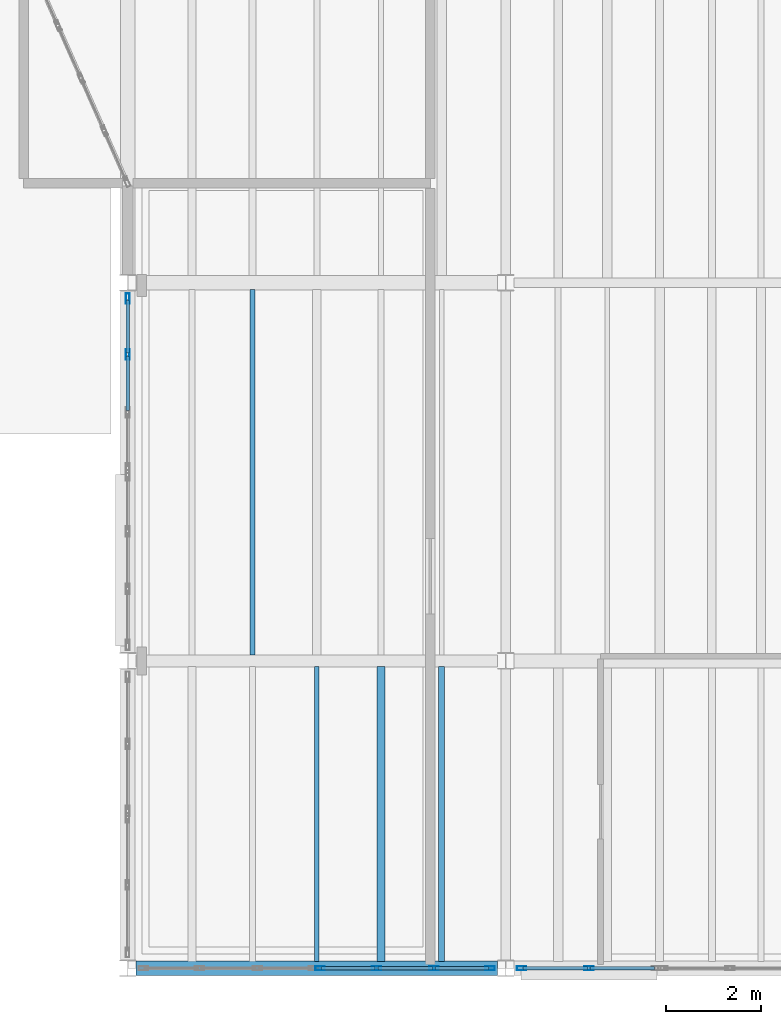
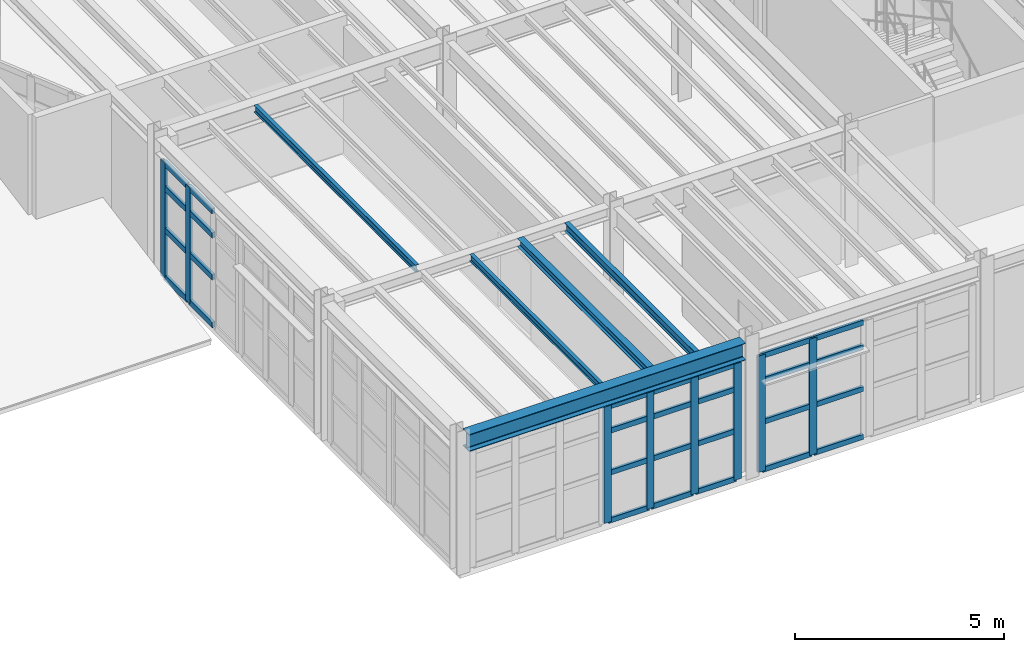
# One storey, part 28 of 77: 36 members, 5 beams, 3 elements without a shape of their own.
"""IFC4 building model written with IfcOpenShell, lengths in metres."""

from ifc_helpers import new_model, si_unit, direction, frame, origin, origin_2d, place, context, subcontext, project, spatial, hollow_rectangle, i_section, extrude, material, material_profile, profile_set, type_object, element, aggregate, save


model = new_model("IFC4")

# Units and contexts
model_context = context("Model", 3, precision=1e-05, world=origin(), true_north=direction((0.0, 1.0)))
body_context = subcontext(model_context, "Body", "Model", "MODEL_VIEW")
ifc_project = project(units=[si_unit("LENGTHUNIT", "METRE"), si_unit("AREAUNIT", "SQUARE_METRE"), si_unit("VOLUMEUNIT", "CUBIC_METRE"), si_unit("PLANEANGLEUNIT", "RADIAN"), si_unit("MASSUNIT", "GRAM", prefix="KILO"), si_unit("THERMODYNAMICTEMPERATUREUNIT", "KELVIN"), si_unit("POWERUNIT", "WATT")], contexts=[model_context])

# Site, building, storey
site_placement = place(None, origin())
site = spatial("IfcSite", under=ifc_project, at=site_placement, CompositionType="ELEMENT")
building_placement = place(site_placement, origin())
building = spatial("IfcBuilding", under=site, at=building_placement, Name="Zhenchuan Central Fire Station", CompositionType="ELEMENT")
storey_placement = place(building_placement, frame((0.0, 0.0, 10.050048828125)))
storey = spatial("IfcBuildingStorey", under=building, at=storey_placement, Name="L03", CompositionType="ELEMENT", Elevation=10.050048828125)

# Beam
ifc_material_1 = material(Name="Steel Q355B", Category="steel")
ifc_material_profile_1 = material_profile(ifc_material_1, i_section(OverallWidth=0.300048828125, OverallDepth=0.5, WebThickness=0.010986328125, FlangeThickness=0.01806640625, FilletRadius=0.02197265625, at=origin_2d()), Name="HM 500x300")
ifc_profile_set_1 = profile_set([ifc_material_profile_1], Name="Steel Q355B")
beam_type_1 = type_object("IfcBeamType", Name="BM-HM500", PredefinedType="BEAM", material=ifc_profile_set_1)
beam_1_placement = place(storey_placement, frame((140.175048828125, 0.0, 3.75), z_axis=(1.0, 0.0, 0.0), x_axis=(0.0, 1.0, 0.0)))
element("IfcBeam", 1, at=beam_1_placement, inside=storey, type_object=beam_type_1, Name="L04 Girder EW 0347", PredefinedType="BEAM", context=body_context, shape_type="SweptSolid", body=[
    extrude(i_section(OverallWidth=0.300048828125, OverallDepth=0.5, WebThickness=0.010986328125, FlangeThickness=0.01806640625, FilletRadius=0.02197265625, at=origin_2d()), origin(), (0.0, 0.0, 1.0), 7.64990234375),
])

# Curtain wall, members
ifc_material_2 = material(Name="Anodised aluminium and low-E glazing", Category="aluminium")
curtain_wall_type_1 = type_object("IfcCurtainWallType", Name="CW-MOD-06", PredefinedType="USERDEFINED", material=ifc_material_2)
curtain_wall_1_placement = place(storey_placement, origin())
curtain_wall_1 = element("IfcCurtainWall", 2, at=curtain_wall_1_placement, inside=storey, type_object=curtain_wall_type_1, Name="L03 Unitised Curtain Wall 101", ObjectType="UNITISED GLAZING", PredefinedType="USERDEFINED")
ifc_material_3 = material(Name="Anodised aluminium EN AW-6063", Category="aluminium")
ifc_material_profile_2 = material_profile(ifc_material_3, hollow_rectangle(XDim=0.074951171875, YDim=0.199951171875, WallThickness=0.0048828125, at=origin_2d()), Name="ALU-M 200x75")
ifc_profile_set_2 = profile_set([ifc_material_profile_2], Name="Anodised aluminium EN AW-6063")
member_type_1 = type_object("IfcMemberType", Name="CW-MUL160", PredefinedType="MULLION", material=ifc_profile_set_2)
member_1_placement = place(storey_placement, frame((144.070556640625, 0.0, -0.004150390625), z_axis=(0.0, 0.0, 1.0), x_axis=(0.0, 1.0, 0.0)))
member_1 = element("IfcMember", 3, at=member_1_placement, type_object=member_type_1, Name="CW-06 mullion 1", PredefinedType="MULLION", context=body_context, shape_type="SweptSolid", body=[
    extrude(hollow_rectangle(XDim=0.074951171875, YDim=0.199951171875, WallThickness=0.0048828125, at=origin_2d()), origin(), (0.0, 0.0, 1.0), 3.404052734375),
])
member_2_placement = place(storey_placement, frame((145.258544921875, 0.0, -0.004150390625), z_axis=(0.0, 0.0, 1.0), x_axis=(0.0, 1.0, 0.0)))
member_2 = element("IfcMember", 4, at=member_2_placement, type_object=member_type_1, Name="CW-06 mullion 2", PredefinedType="MULLION", context=body_context, shape_type="SweptSolid", body=[
    extrude(hollow_rectangle(XDim=0.074951171875, YDim=0.199951171875, WallThickness=0.0048828125, at=origin_2d()), origin(), (0.0, 0.0, 1.0), 3.404052734375),
])
member_3_placement = place(storey_placement, frame((146.479248046875, 0.0, -0.004150390625), z_axis=(0.0, 0.0, 1.0), x_axis=(0.0, 1.0, 0.0)))
member_3 = element("IfcMember", 5, at=member_3_placement, type_object=member_type_1, Name="CW-06 mullion 3", PredefinedType="MULLION", context=body_context, shape_type="SweptSolid", body=[
    extrude(hollow_rectangle(XDim=0.074951171875, YDim=0.199951171875, WallThickness=0.0048828125, at=origin_2d()), origin(), (0.0, 0.0, 1.0), 3.404052734375),
])
member_4_placement = place(storey_placement, frame((147.66748046875, 0.0, -0.004150390625), z_axis=(0.0, 0.0, 1.0), x_axis=(0.0, 1.0, 0.0)))
member_4 = element("IfcMember", 6, at=member_4_placement, type_object=member_type_1, Name="CW-06 mullion 4", PredefinedType="MULLION", context=body_context, shape_type="SweptSolid", body=[
    extrude(hollow_rectangle(XDim=0.074951171875, YDim=0.199951171875, WallThickness=0.0048828125, at=origin_2d()), origin(), (0.0, 0.0, 1.0), 3.404052734375),
])

curtain_wall_2_placement = place(storey_placement, origin())
curtain_wall_2 = element("IfcCurtainWall", 7, at=curtain_wall_2_placement, inside=storey, type_object=curtain_wall_type_1, Name="L03 Unitised Curtain Wall 102", ObjectType="UNITISED GLAZING", PredefinedType="USERDEFINED")
member_5_placement = place(storey_placement, frame((148.33251953125, 0.0, -0.004150390625), z_axis=(0.0, 0.0, 1.0), x_axis=(0.0, 1.0, 0.0)))
member_5 = element("IfcMember", 8, at=member_5_placement, type_object=member_type_1, Name="CW-06 mullion 1", PredefinedType="MULLION", context=body_context, shape_type="SweptSolid", body=[
    extrude(hollow_rectangle(XDim=0.074951171875, YDim=0.199951171875, WallThickness=0.0048828125, at=origin_2d()), origin(), (0.0, 0.0, 1.0), 3.404052734375),
])
member_6_placement = place(storey_placement, frame((149.756103515625, 0.0, -0.004150390625), z_axis=(0.0, 0.0, 1.0), x_axis=(0.0, 1.0, 0.0)))
member_6 = element("IfcMember", 9, at=member_6_placement, type_object=member_type_1, Name="CW-06 mullion 2", PredefinedType="MULLION", context=body_context, shape_type="SweptSolid", body=[
    extrude(hollow_rectangle(XDim=0.074951171875, YDim=0.199951171875, WallThickness=0.0048828125, at=origin_2d()), origin(), (0.0, 0.0, 1.0), 3.404052734375),
])

curtain_wall_type_2 = type_object("IfcCurtainWallType", Name="CW-MOD-13", PredefinedType="USERDEFINED", material=ifc_material_2)
curtain_wall_3_placement = place(storey_placement, origin())
curtain_wall_3 = element("IfcCurtainWall", 10, at=curtain_wall_3_placement, inside=storey, type_object=curtain_wall_type_2, Name="L03 Unitised Curtain Wall 115", ObjectType="UNITISED GLAZING", PredefinedType="USERDEFINED")
ifc_material_profile_3 = material_profile(ifc_material_3, hollow_rectangle(XDim=0.080078125, YDim=0.219970703125, WallThickness=0.005615234375, at=origin_2d()), Name="ALU-M 220x80")
ifc_profile_set_3 = profile_set([ifc_material_profile_3], Name="Anodised aluminium EN AW-6063")
member_type_2 = type_object("IfcMemberType", Name="CW-MUL200", PredefinedType="MULLION", material=ifc_profile_set_3)
member_7_placement = place(storey_placement, frame((140.0, 12.979248046875, -0.004150390625), z_axis=(0.0, 0.0, 1.0), x_axis=(-1.0, 0.0, 0.0)))
member_7 = element("IfcMember", 11, at=member_7_placement, type_object=member_type_2, Name="CW-13 mullion 3", PredefinedType="MULLION", context=body_context, shape_type="SweptSolid", body=[
    extrude(hollow_rectangle(XDim=0.080078125, YDim=0.219970703125, WallThickness=0.005615234375, at=origin_2d()), origin(), (0.0, 0.0, 1.0), 3.404052734375),
])
member_8_placement = place(storey_placement, frame((140.0, 14.16259765625, -0.004150390625), z_axis=(0.0, 0.0, 1.0), x_axis=(-1.0, 0.0, 0.0)))
member_8 = element("IfcMember", 12, at=member_8_placement, type_object=member_type_2, Name="CW-13 mullion 4", PredefinedType="MULLION", context=body_context, shape_type="SweptSolid", body=[
    extrude(hollow_rectangle(XDim=0.080078125, YDim=0.219970703125, WallThickness=0.005615234375, at=origin_2d()), origin(), (0.0, 0.0, 1.0), 3.404052734375),
])

# Member
ifc_material_profile_4 = material_profile(ifc_material_3, hollow_rectangle(XDim=0.074951171875, YDim=0.14990234375, WallThickness=0.0048828125, at=origin_2d()), Name="ALU-T 150x75")
ifc_profile_set_4 = profile_set([ifc_material_profile_4], Name="Anodised aluminium EN AW-6063")
member_type_3 = type_object("IfcMemberType", Name="CW-TRN130", PredefinedType="NOTDEFINED", material=ifc_profile_set_4)
member_9_placement = place(storey_placement, frame((144.10302734375, 0.0, 0.028564453125), z_axis=(1.0, 0.0, 0.0), x_axis=(0.0, 1.0, 0.0)))
member_9 = element("IfcMember", 13, at=member_9_placement, type_object=member_type_3, Name="CW-06 transom 1.1", ObjectType="TRANSOM", PredefinedType="USERDEFINED", context=body_context, shape_type="SweptSolid", body=[
    extrude(hollow_rectangle(XDim=0.074951171875, YDim=0.14990234375, WallThickness=0.0048828125, at=origin_2d()), origin(), (0.0, 0.0, 1.0), 1.123046875),
])

member_10_placement = place(storey_placement, frame((144.10302734375, 0.0, 1.427978515625), z_axis=(1.0, 0.0, 0.0), x_axis=(0.0, 1.0, 0.0)))
member_10 = element("IfcMember", 14, at=member_10_placement, type_object=member_type_3, Name="CW-06 transom 1.2", ObjectType="TRANSOM", PredefinedType="USERDEFINED", context=body_context, shape_type="SweptSolid", body=[
    extrude(hollow_rectangle(XDim=0.074951171875, YDim=0.14990234375, WallThickness=0.0048828125, at=origin_2d()), origin(), (0.0, 0.0, 1.0), 1.123046875),
])

member_11_placement = place(storey_placement, frame((144.10302734375, 0.0, 2.65185546875), z_axis=(1.0, 0.0, 0.0), x_axis=(0.0, 1.0, 0.0)))
member_11 = element("IfcMember", 15, at=member_11_placement, type_object=member_type_3, Name="CW-06 transom 1.3", ObjectType="TRANSOM", PredefinedType="USERDEFINED", context=body_context, shape_type="SweptSolid", body=[
    extrude(hollow_rectangle(XDim=0.074951171875, YDim=0.14990234375, WallThickness=0.0048828125, at=origin_2d()), origin(), (0.0, 0.0, 1.0), 1.123046875),
])

member_12_placement = place(storey_placement, frame((144.10302734375, 0.0, 3.367431640625), z_axis=(1.0, 0.0, 0.0), x_axis=(0.0, 1.0, 0.0)))
member_12 = element("IfcMember", 16, at=member_12_placement, type_object=member_type_3, Name="CW-06 transom 1.4", ObjectType="TRANSOM", PredefinedType="USERDEFINED", context=body_context, shape_type="SweptSolid", body=[
    extrude(hollow_rectangle(XDim=0.074951171875, YDim=0.14990234375, WallThickness=0.0048828125, at=origin_2d()), origin(), (0.0, 0.0, 1.0), 1.123046875),
])

member_13_placement = place(storey_placement, frame((145.291259765625, 0.0, 0.028564453125), z_axis=(1.0, 0.0, 0.0), x_axis=(0.0, 1.0, 0.0)))
member_13 = element("IfcMember", 17, at=member_13_placement, type_object=member_type_3, Name="CW-06 transom 2.1", ObjectType="TRANSOM", PredefinedType="USERDEFINED", context=body_context, shape_type="SweptSolid", body=[
    extrude(hollow_rectangle(XDim=0.074951171875, YDim=0.14990234375, WallThickness=0.0048828125, at=origin_2d()), origin(), (0.0, 0.0, 1.0), 1.155517578125),
])

member_14_placement = place(storey_placement, frame((145.291259765625, 0.0, 1.427978515625), z_axis=(1.0, 0.0, 0.0), x_axis=(0.0, 1.0, 0.0)))
member_14 = element("IfcMember", 18, at=member_14_placement, type_object=member_type_3, Name="CW-06 transom 2.2", ObjectType="TRANSOM", PredefinedType="USERDEFINED", context=body_context, shape_type="SweptSolid", body=[
    extrude(hollow_rectangle(XDim=0.074951171875, YDim=0.14990234375, WallThickness=0.0048828125, at=origin_2d()), origin(), (0.0, 0.0, 1.0), 1.155517578125),
])

member_15_placement = place(storey_placement, frame((145.291259765625, 0.0, 2.65185546875), z_axis=(1.0, 0.0, 0.0), x_axis=(0.0, 1.0, 0.0)))
member_15 = element("IfcMember", 19, at=member_15_placement, type_object=member_type_3, Name="CW-06 transom 2.3", ObjectType="TRANSOM", PredefinedType="USERDEFINED", context=body_context, shape_type="SweptSolid", body=[
    extrude(hollow_rectangle(XDim=0.074951171875, YDim=0.14990234375, WallThickness=0.0048828125, at=origin_2d()), origin(), (0.0, 0.0, 1.0), 1.155517578125),
])

member_16_placement = place(storey_placement, frame((145.291259765625, 0.0, 3.367431640625), z_axis=(1.0, 0.0, 0.0), x_axis=(0.0, 1.0, 0.0)))
member_16 = element("IfcMember", 20, at=member_16_placement, type_object=member_type_3, Name="CW-06 transom 2.4", ObjectType="TRANSOM", PredefinedType="USERDEFINED", context=body_context, shape_type="SweptSolid", body=[
    extrude(hollow_rectangle(XDim=0.074951171875, YDim=0.14990234375, WallThickness=0.0048828125, at=origin_2d()), origin(), (0.0, 0.0, 1.0), 1.155517578125),
])

member_17_placement = place(storey_placement, frame((146.51171875, 0.0, 0.028564453125), z_axis=(1.0, 0.0, 0.0), x_axis=(0.0, 1.0, 0.0)))
member_17 = element("IfcMember", 21, at=member_17_placement, type_object=member_type_3, Name="CW-06 transom 3.1", ObjectType="TRANSOM", PredefinedType="USERDEFINED", context=body_context, shape_type="SweptSolid", body=[
    extrude(hollow_rectangle(XDim=0.074951171875, YDim=0.14990234375, WallThickness=0.0048828125, at=origin_2d()), origin(), (0.0, 0.0, 1.0), 1.123291015625),
])

member_18_placement = place(storey_placement, frame((146.51171875, 0.0, 1.427978515625), z_axis=(1.0, 0.0, 0.0), x_axis=(0.0, 1.0, 0.0)))
member_18 = element("IfcMember", 22, at=member_18_placement, type_object=member_type_3, Name="CW-06 transom 3.2", ObjectType="TRANSOM", PredefinedType="USERDEFINED", context=body_context, shape_type="SweptSolid", body=[
    extrude(hollow_rectangle(XDim=0.074951171875, YDim=0.14990234375, WallThickness=0.0048828125, at=origin_2d()), origin(), (0.0, 0.0, 1.0), 1.123291015625),
])

member_19_placement = place(storey_placement, frame((146.51171875, 0.0, 2.65185546875), z_axis=(1.0, 0.0, 0.0), x_axis=(0.0, 1.0, 0.0)))
member_19 = element("IfcMember", 23, at=member_19_placement, type_object=member_type_3, Name="CW-06 transom 3.3", ObjectType="TRANSOM", PredefinedType="USERDEFINED", context=body_context, shape_type="SweptSolid", body=[
    extrude(hollow_rectangle(XDim=0.074951171875, YDim=0.14990234375, WallThickness=0.0048828125, at=origin_2d()), origin(), (0.0, 0.0, 1.0), 1.123291015625),
])

member_20_placement = place(storey_placement, frame((146.51171875, 0.0, 3.367431640625), z_axis=(1.0, 0.0, 0.0), x_axis=(0.0, 1.0, 0.0)))
member_20 = element("IfcMember", 24, at=member_20_placement, type_object=member_type_3, Name="CW-06 transom 3.4", ObjectType="TRANSOM", PredefinedType="USERDEFINED", context=body_context, shape_type="SweptSolid", body=[
    extrude(hollow_rectangle(XDim=0.074951171875, YDim=0.14990234375, WallThickness=0.0048828125, at=origin_2d()), origin(), (0.0, 0.0, 1.0), 1.123291015625),
])

aggregate(curtain_wall_1, [member_1, member_2, member_3, member_4, member_9, member_10, member_11, member_12, member_13, member_14, member_15, member_16, member_17, member_18, member_19, member_20])

member_21_placement = place(storey_placement, frame((148.364990234375, 0.0, 0.028564453125), z_axis=(1.0, 0.0, 0.0), x_axis=(0.0, 1.0, 0.0)))
member_21 = element("IfcMember", 25, at=member_21_placement, type_object=member_type_3, Name="CW-06 transom 1.1", ObjectType="TRANSOM", PredefinedType="USERDEFINED", context=body_context, shape_type="SweptSolid", body=[
    extrude(hollow_rectangle(XDim=0.074951171875, YDim=0.14990234375, WallThickness=0.0048828125, at=origin_2d()), origin(), (0.0, 0.0, 1.0), 1.3583984375),
])

member_22_placement = place(storey_placement, frame((148.364990234375, 0.0, 1.427978515625), z_axis=(1.0, 0.0, 0.0), x_axis=(0.0, 1.0, 0.0)))
member_22 = element("IfcMember", 26, at=member_22_placement, type_object=member_type_3, Name="CW-06 transom 1.2", ObjectType="TRANSOM", PredefinedType="USERDEFINED", context=body_context, shape_type="SweptSolid", body=[
    extrude(hollow_rectangle(XDim=0.074951171875, YDim=0.14990234375, WallThickness=0.0048828125, at=origin_2d()), origin(), (0.0, 0.0, 1.0), 1.3583984375),
])

member_23_placement = place(storey_placement, frame((148.364990234375, 0.0, 2.65185546875), z_axis=(1.0, 0.0, 0.0), x_axis=(0.0, 1.0, 0.0)))
member_23 = element("IfcMember", 27, at=member_23_placement, type_object=member_type_3, Name="CW-06 transom 1.3", ObjectType="TRANSOM", PredefinedType="USERDEFINED", context=body_context, shape_type="SweptSolid", body=[
    extrude(hollow_rectangle(XDim=0.074951171875, YDim=0.14990234375, WallThickness=0.0048828125, at=origin_2d()), origin(), (0.0, 0.0, 1.0), 1.3583984375),
])

member_24_placement = place(storey_placement, frame((148.364990234375, 0.0, 3.367431640625), z_axis=(1.0, 0.0, 0.0), x_axis=(0.0, 1.0, 0.0)))
member_24 = element("IfcMember", 28, at=member_24_placement, type_object=member_type_3, Name="CW-06 transom 1.4", ObjectType="TRANSOM", PredefinedType="USERDEFINED", context=body_context, shape_type="SweptSolid", body=[
    extrude(hollow_rectangle(XDim=0.074951171875, YDim=0.14990234375, WallThickness=0.0048828125, at=origin_2d()), origin(), (0.0, 0.0, 1.0), 1.3583984375),
])

member_25_placement = place(storey_placement, frame((149.78857421875, 0.0, 0.028564453125), z_axis=(1.0, 0.0, 0.0), x_axis=(0.0, 1.0, 0.0)))
member_25 = element("IfcMember", 29, at=member_25_placement, type_object=member_type_3, Name="CW-06 transom 2.1", ObjectType="TRANSOM", PredefinedType="USERDEFINED", context=body_context, shape_type="SweptSolid", body=[
    extrude(hollow_rectangle(XDim=0.074951171875, YDim=0.14990234375, WallThickness=0.0048828125, at=origin_2d()), origin(), (0.0, 0.0, 1.0), 1.3583984375),
])

member_26_placement = place(storey_placement, frame((149.78857421875, 0.0, 1.427978515625), z_axis=(1.0, 0.0, 0.0), x_axis=(0.0, 1.0, 0.0)))
member_26 = element("IfcMember", 30, at=member_26_placement, type_object=member_type_3, Name="CW-06 transom 2.2", ObjectType="TRANSOM", PredefinedType="USERDEFINED", context=body_context, shape_type="SweptSolid", body=[
    extrude(hollow_rectangle(XDim=0.074951171875, YDim=0.14990234375, WallThickness=0.0048828125, at=origin_2d()), origin(), (0.0, 0.0, 1.0), 1.3583984375),
])

member_27_placement = place(storey_placement, frame((149.78857421875, 0.0, 2.65185546875), z_axis=(1.0, 0.0, 0.0), x_axis=(0.0, 1.0, 0.0)))
member_27 = element("IfcMember", 31, at=member_27_placement, type_object=member_type_3, Name="CW-06 transom 2.3", ObjectType="TRANSOM", PredefinedType="USERDEFINED", context=body_context, shape_type="SweptSolid", body=[
    extrude(hollow_rectangle(XDim=0.074951171875, YDim=0.14990234375, WallThickness=0.0048828125, at=origin_2d()), origin(), (0.0, 0.0, 1.0), 1.3583984375),
])

member_28_placement = place(storey_placement, frame((149.78857421875, 0.0, 3.367431640625), z_axis=(1.0, 0.0, 0.0), x_axis=(0.0, 1.0, 0.0)))
member_28 = element("IfcMember", 32, at=member_28_placement, type_object=member_type_3, Name="CW-06 transom 2.4", ObjectType="TRANSOM", PredefinedType="USERDEFINED", context=body_context, shape_type="SweptSolid", body=[
    extrude(hollow_rectangle(XDim=0.074951171875, YDim=0.14990234375, WallThickness=0.0048828125, at=origin_2d()), origin(), (0.0, 0.0, 1.0), 1.3583984375),
])

aggregate(curtain_wall_2, [member_5, member_6, member_21, member_22, member_23, member_24, member_25, member_26, member_27, member_28])

ifc_material_profile_5 = material_profile(ifc_material_3, hollow_rectangle(XDim=0.080078125, YDim=0.1650390625, WallThickness=0.0048828125, at=origin_2d()), Name="ALU-T 165x80")
ifc_profile_set_5 = profile_set([ifc_material_profile_5], Name="Anodised aluminium EN AW-6063")
member_type_4 = type_object("IfcMemberType", Name="CW-TRN150", PredefinedType="NOTDEFINED", material=ifc_profile_set_5)
member_29_placement = place(storey_placement, frame((140.0, 11.796142578125, 0.033447265625), z_axis=(0.0, 1.0, 0.0), x_axis=(-1.0, 0.0, 0.0)))
member_29 = element("IfcMember", 33, at=member_29_placement, type_object=member_type_4, Name="CW-13 transom 2.1", ObjectType="TRANSOM", PredefinedType="USERDEFINED", context=body_context, shape_type="SweptSolid", body=[
    extrude(hollow_rectangle(XDim=0.080078125, YDim=0.1650390625, WallThickness=0.0048828125, at=origin_2d()), origin(), (0.0, 0.0, 1.0), 1.145751953125),
])

member_30_placement = place(storey_placement, frame((140.0, 11.796142578125, 1.427978515625), z_axis=(0.0, 1.0, 0.0), x_axis=(-1.0, 0.0, 0.0)))
member_30 = element("IfcMember", 34, at=member_30_placement, type_object=member_type_4, Name="CW-13 transom 2.2", ObjectType="TRANSOM", PredefinedType="USERDEFINED", context=body_context, shape_type="SweptSolid", body=[
    extrude(hollow_rectangle(XDim=0.080078125, YDim=0.1650390625, WallThickness=0.0048828125, at=origin_2d()), origin(), (0.0, 0.0, 1.0), 1.145751953125),
])

member_31_placement = place(storey_placement, frame((140.0, 11.796142578125, 2.65185546875), z_axis=(0.0, 1.0, 0.0), x_axis=(-1.0, 0.0, 0.0)))
member_31 = element("IfcMember", 35, at=member_31_placement, type_object=member_type_4, Name="CW-13 transom 2.3", ObjectType="TRANSOM", PredefinedType="USERDEFINED", context=body_context, shape_type="SweptSolid", body=[
    extrude(hollow_rectangle(XDim=0.080078125, YDim=0.1650390625, WallThickness=0.0048828125, at=origin_2d()), origin(), (0.0, 0.0, 1.0), 1.145751953125),
])

member_32_placement = place(storey_placement, frame((140.0, 11.796142578125, 3.362548828125), z_axis=(0.0, 1.0, 0.0), x_axis=(-1.0, 0.0, 0.0)))
member_32 = element("IfcMember", 36, at=member_32_placement, type_object=member_type_4, Name="CW-13 transom 2.4", ObjectType="TRANSOM", PredefinedType="USERDEFINED", context=body_context, shape_type="SweptSolid", body=[
    extrude(hollow_rectangle(XDim=0.080078125, YDim=0.1650390625, WallThickness=0.0048828125, at=origin_2d()), origin(), (0.0, 0.0, 1.0), 1.145751953125),
])

member_33_placement = place(storey_placement, frame((140.0, 13.016845703125, 0.033447265625), z_axis=(0.0, 1.0, 0.0), x_axis=(-1.0, 0.0, 0.0)))
member_33 = element("IfcMember", 37, at=member_33_placement, type_object=member_type_4, Name="CW-13 transom 3.1", ObjectType="TRANSOM", PredefinedType="USERDEFINED", context=body_context, shape_type="SweptSolid", body=[
    extrude(hollow_rectangle(XDim=0.080078125, YDim=0.1650390625, WallThickness=0.0048828125, at=origin_2d()), origin(), (0.0, 0.0, 1.0), 1.108154296875),
])

member_34_placement = place(storey_placement, frame((140.0, 13.016845703125, 1.427978515625), z_axis=(0.0, 1.0, 0.0), x_axis=(-1.0, 0.0, 0.0)))
member_34 = element("IfcMember", 38, at=member_34_placement, type_object=member_type_4, Name="CW-13 transom 3.2", ObjectType="TRANSOM", PredefinedType="USERDEFINED", context=body_context, shape_type="SweptSolid", body=[
    extrude(hollow_rectangle(XDim=0.080078125, YDim=0.1650390625, WallThickness=0.0048828125, at=origin_2d()), origin(), (0.0, 0.0, 1.0), 1.108154296875),
])

member_35_placement = place(storey_placement, frame((140.0, 13.016845703125, 2.65185546875), z_axis=(0.0, 1.0, 0.0), x_axis=(-1.0, 0.0, 0.0)))
member_35 = element("IfcMember", 39, at=member_35_placement, type_object=member_type_4, Name="CW-13 transom 3.3", ObjectType="TRANSOM", PredefinedType="USERDEFINED", context=body_context, shape_type="SweptSolid", body=[
    extrude(hollow_rectangle(XDim=0.080078125, YDim=0.1650390625, WallThickness=0.0048828125, at=origin_2d()), origin(), (0.0, 0.0, 1.0), 1.108154296875),
])

member_36_placement = place(storey_placement, frame((140.0, 13.016845703125, 3.362548828125), z_axis=(0.0, 1.0, 0.0), x_axis=(-1.0, 0.0, 0.0)))
member_36 = element("IfcMember", 40, at=member_36_placement, type_object=member_type_4, Name="CW-13 transom 3.4", ObjectType="TRANSOM", PredefinedType="USERDEFINED", context=body_context, shape_type="SweptSolid", body=[
    extrude(hollow_rectangle(XDim=0.080078125, YDim=0.1650390625, WallThickness=0.0048828125, at=origin_2d()), origin(), (0.0, 0.0, 1.0), 1.108154296875),
])

aggregate(curtain_wall_3, [member_7, member_8, member_29, member_30, member_31, member_32, member_33, member_34, member_35, member_36])

# Beams
ifc_material_profile_6 = material_profile(ifc_material_1, i_section(OverallWidth=0.175048828125, OverallDepth=0.243896484375, WebThickness=0.007080078125, FlangeThickness=0.010986328125, FilletRadius=0.012939453125, at=origin_2d()), Name="HM 244x175")
ifc_profile_set_6 = profile_set([ifc_material_profile_6], Name="Steel Q355B")
beam_type_2 = type_object("IfcBeamType", Name="JS-HM244", PredefinedType="JOIST", material=ifc_profile_set_6)
beam_2_placement = place(storey_placement, frame((145.360107421875, 0.14697265625, 3.8779296875), z_axis=(0.0, 1.0, 0.0), x_axis=(-1.0, 0.0, 0.0)))
element("IfcBeam", 41, at=beam_2_placement, inside=storey, type_object=beam_type_2, Name="L04 Secondary Joist 0573", PredefinedType="JOIST", context=body_context, shape_type="SweptSolid", body=[
    extrude(i_section(OverallWidth=0.175048828125, OverallDepth=0.243896484375, WebThickness=0.007080078125, FlangeThickness=0.010986328125, FilletRadius=0.012939453125, at=origin_2d()), origin(), (0.0, 0.0, 1.0), 6.23095703125),
])
ifc_material_profile_7 = material_profile(ifc_material_1, i_section(OverallWidth=0.10009765625, OverallDepth=0.199951171875, WebThickness=0.005615234375, FlangeThickness=0.008056640625, FilletRadius=0.010986328125, at=origin_2d()), Name="HN 200x100")
ifc_profile_set_7 = profile_set([ifc_material_profile_7], Name="Steel Q355B")
beam_type_3 = type_object("IfcBeamType", Name="JS-HN200", PredefinedType="JOIST", material=ifc_profile_set_7)
beam_3_placement = place(storey_placement, frame((144.0, 0.14697265625, 3.89990234375), z_axis=(0.0, 1.0, 0.0), x_axis=(-1.0, 0.0, 0.0)))
element("IfcBeam", 42, at=beam_3_placement, inside=storey, type_object=beam_type_3, Name="L04 Secondary Joist 0572", PredefinedType="JOIST", context=body_context, shape_type="SweptSolid", body=[
    extrude(i_section(OverallWidth=0.10009765625, OverallDepth=0.199951171875, WebThickness=0.005615234375, FlangeThickness=0.008056640625, FilletRadius=0.010986328125, at=origin_2d()), origin(), (0.0, 0.0, 1.0), 6.23095703125),
])
beam_4_placement = place(storey_placement, frame((142.639892578125, 6.6220703125, 3.89990234375), z_axis=(0.0, 1.0, 0.0), x_axis=(-1.0, 0.0, 0.0)))
element("IfcBeam", 43, at=beam_4_placement, inside=storey, type_object=beam_type_3, Name="L04 Secondary Joist 0581", PredefinedType="JOIST", context=body_context, shape_type="SweptSolid", body=[
    extrude(i_section(OverallWidth=0.10009765625, OverallDepth=0.199951171875, WebThickness=0.005615234375, FlangeThickness=0.008056640625, FilletRadius=0.010986328125, at=origin_2d()), origin(), (0.0, 0.0, 1.0), 7.73095703125),
])
ifc_material_profile_8 = material_profile(ifc_material_1, i_section(OverallWidth=0.125, OverallDepth=0.25, WebThickness=0.006103515625, FlangeThickness=0.009033203125, FilletRadius=0.011962890625, at=origin_2d()), Name="HN 250x125")
ifc_profile_set_8 = profile_set([ifc_material_profile_8], Name="Steel Q355B")
beam_type_4 = type_object("IfcBeamType", Name="JS-HN250", PredefinedType="JOIST", material=ifc_profile_set_8)
beam_5_placement = place(storey_placement, frame((146.639892578125, 0.14697265625, 3.875), z_axis=(0.0, 1.0, 0.0), x_axis=(-1.0, 0.0, 0.0)))
element("IfcBeam", 44, at=beam_5_placement, inside=storey, type_object=beam_type_4, Name="L04 Secondary Joist 0574", PredefinedType="JOIST", context=body_context, shape_type="SweptSolid", body=[
    extrude(i_section(OverallWidth=0.125, OverallDepth=0.25, WebThickness=0.006103515625, FlangeThickness=0.009033203125, FilletRadius=0.011962890625, at=origin_2d()), origin(), (0.0, 0.0, 1.0), 6.23095703125),
])

save(model, "model.ifc")
